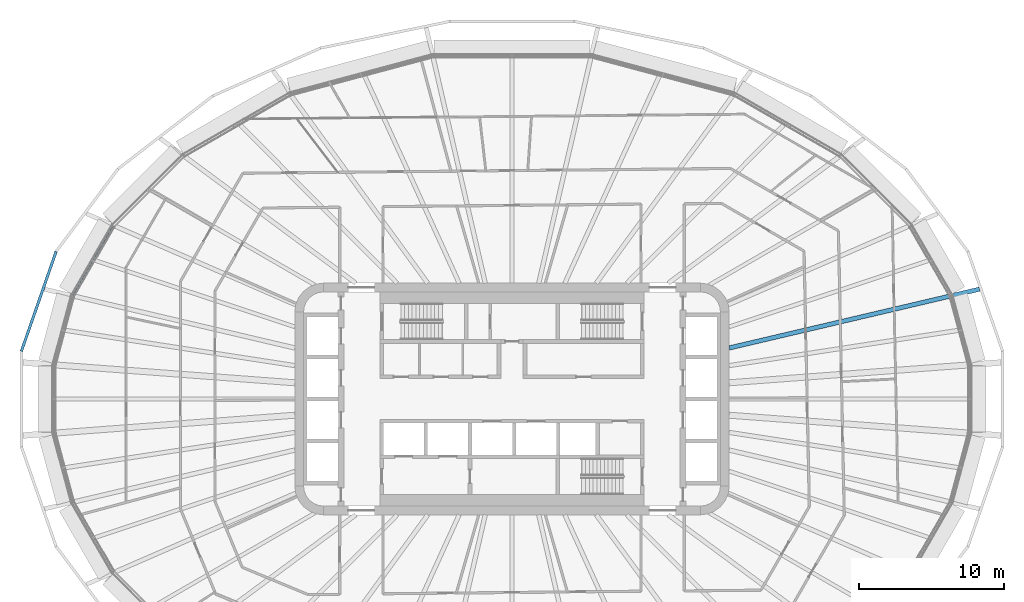
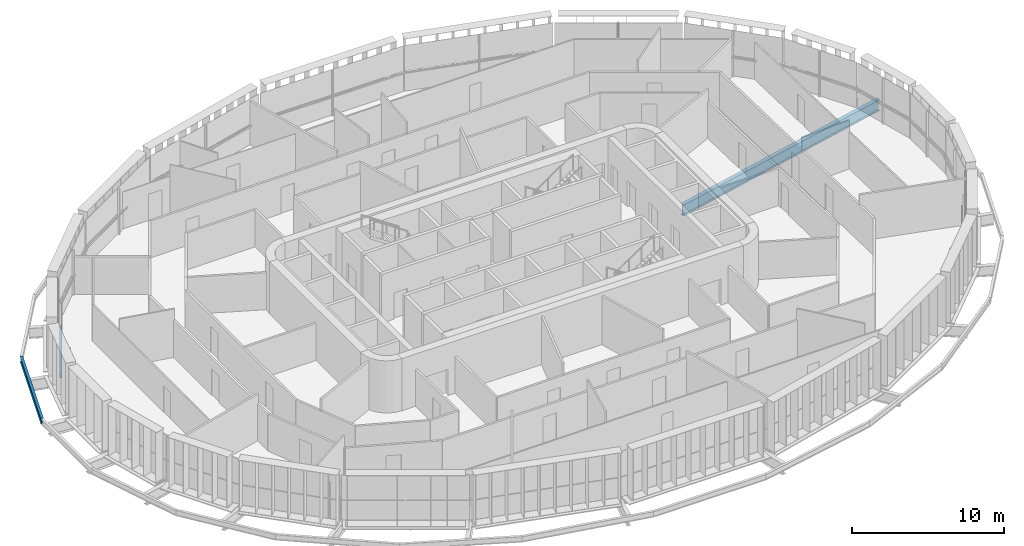
# One storey, part 6 of 26: 3 beams.
"""IFC4 building model written with IfcOpenShell, lengths in metres."""

from ifc_helpers import new_model, si_unit, direction, frame, origin, origin_2d, place, context, subcontext, project, spatial, i_section, extrude, material, material_profile, profile_set, type_object, element, save


model = new_model("IFC4")

# Units and contexts
model_context = context("Model", 3, precision=1e-05, world=origin(), true_north=direction((0.0, 1.0)))
body_context = subcontext(model_context, "Body", "Model", "MODEL_VIEW")
ifc_project = project(units=[si_unit("LENGTHUNIT", "METRE"), si_unit("AREAUNIT", "SQUARE_METRE"), si_unit("VOLUMEUNIT", "CUBIC_METRE"), si_unit("PLANEANGLEUNIT", "RADIAN"), si_unit("MASSUNIT", "GRAM", prefix="KILO")], contexts=[model_context])

# Site, building, storey
site_placement = place(None, origin())
site = spatial("IfcSite", under=ifc_project, at=site_placement, CompositionType="ELEMENT")
building_placement = place(site_placement, origin())
building = spatial("IfcBuilding", under=site, at=building_placement, Name="Sahrelin Media Tower", CompositionType="ELEMENT")
storey_placement = place(building_placement, frame((0.0, 0.0, 88.199951171875)))
storey = spatial("IfcBuildingStorey", under=building, at=storey_placement, Name="L16", CompositionType="ELEMENT", Elevation=88.199951171875)

# Beams
ifc_material = material(Name="Steel S355", Category="steel")
ifc_material_profile_1 = material_profile(ifc_material, i_section(OverallWidth=0.1650390625, OverallDepth=0.303466796875, WebThickness=0.006103515625, FlangeThickness=0.01025390625, FilletRadius=0.0087890625, at=origin_2d()), Name="UB 305x165x40")
ifc_profile_set_1 = profile_set([ifc_material_profile_1], Name="Steel S355")
beam_type_1 = type_object("IfcBeamType", Name="Edge beam EB2", PredefinedType="BEAM", material=ifc_profile_set_1)
beam_1_placement = place(storey_placement, frame((-30.282958984375, 7.103271484375, -0.3017578125), z_axis=(0.499998387408, 0.866026334813, 0.0), x_axis=(-0.866026334813, 0.499998387408, 0.0)))
element("IfcBeam", 1, at=beam_1_placement, inside=storey, type_object=beam_type_1, Name="Edge beam L16-15", PredefinedType="BEAM", context=body_context, shape_type="SweptSolid", body=[
    extrude(i_section(OverallWidth=0.1650390625, OverallDepth=0.303466796875, WebThickness=0.006103515625, FlangeThickness=0.01025390625, FilletRadius=0.0087890625, at=origin_2d()), origin(), (0.0, 0.0, 1.0), 5.5654296875),
])
ifc_material_profile_2 = material_profile(ifc_material, i_section(OverallWidth=0.30322265625, OverallDepth=0.903076171875, WebThickness=0.01513671875, FlangeThickness=0.020263671875, FilletRadius=0.01904296875, at=origin_2d()), Name="UB 914x305x201")
ifc_profile_set_2 = profile_set([ifc_material_profile_2], Name="Steel S355")
beam_type_2 = type_object("IfcBeamType", Name="Radial primary beam PB11", PredefinedType="BEAM", material=ifc_profile_set_2)
beam_2_placement = place(storey_placement, frame((15.0, 3.523681640625, -0.6015625), z_axis=(0.973498615926, 0.228692904986, 0.0), x_axis=(-0.228692904986, 0.973498615926, 0.0)))
element("IfcBeam", 2, at=beam_2_placement, inside=storey, type_object=beam_type_2, Name="Radial beam L16-02", PredefinedType="BEAM", context=body_context, shape_type="SweptSolid", body=[
    extrude(i_section(OverallWidth=0.30322265625, OverallDepth=0.903076171875, WebThickness=0.01513671875, FlangeThickness=0.020263671875, FilletRadius=0.01904296875, at=origin_2d()), origin(), (0.0, 0.0, 1.0), 17.75537109375),
])
ifc_material_profile_3 = material_profile(ifc_material, i_section(OverallWidth=0.1904296875, OverallDepth=0.45703125, WebThickness=0.009033203125, FlangeThickness=0.014404296875, FilletRadius=0.01025390625, at=origin_2d()), Name="UB 457x191x74")
ifc_profile_set_3 = profile_set([ifc_material_profile_3], Name="Steel S355")
beam_type_3 = type_object("IfcBeamType", Name="Tie chord TC5", PredefinedType="BEAM", material=ifc_profile_set_3)
beam_3_placement = place(storey_placement, frame((-31.480712890625, 10.183837890625, -0.37841796875), z_axis=(-0.32878287331, -0.944405539066, 0.0), x_axis=(0.944405539066, -0.32878287331, 0.0)))
element("IfcBeam", 3, at=beam_3_placement, inside=storey, type_object=beam_type_3, Name="Tie chord L16-11", PredefinedType="BEAM", context=body_context, shape_type="SweptSolid", body=[
    extrude(i_section(OverallWidth=0.1904296875, OverallDepth=0.45703125, WebThickness=0.009033203125, FlangeThickness=0.014404296875, FilletRadius=0.01025390625, at=origin_2d()), origin(), (0.0, 0.0, 1.0), 7.29345703125),
])

save(model, "model.ifc")
